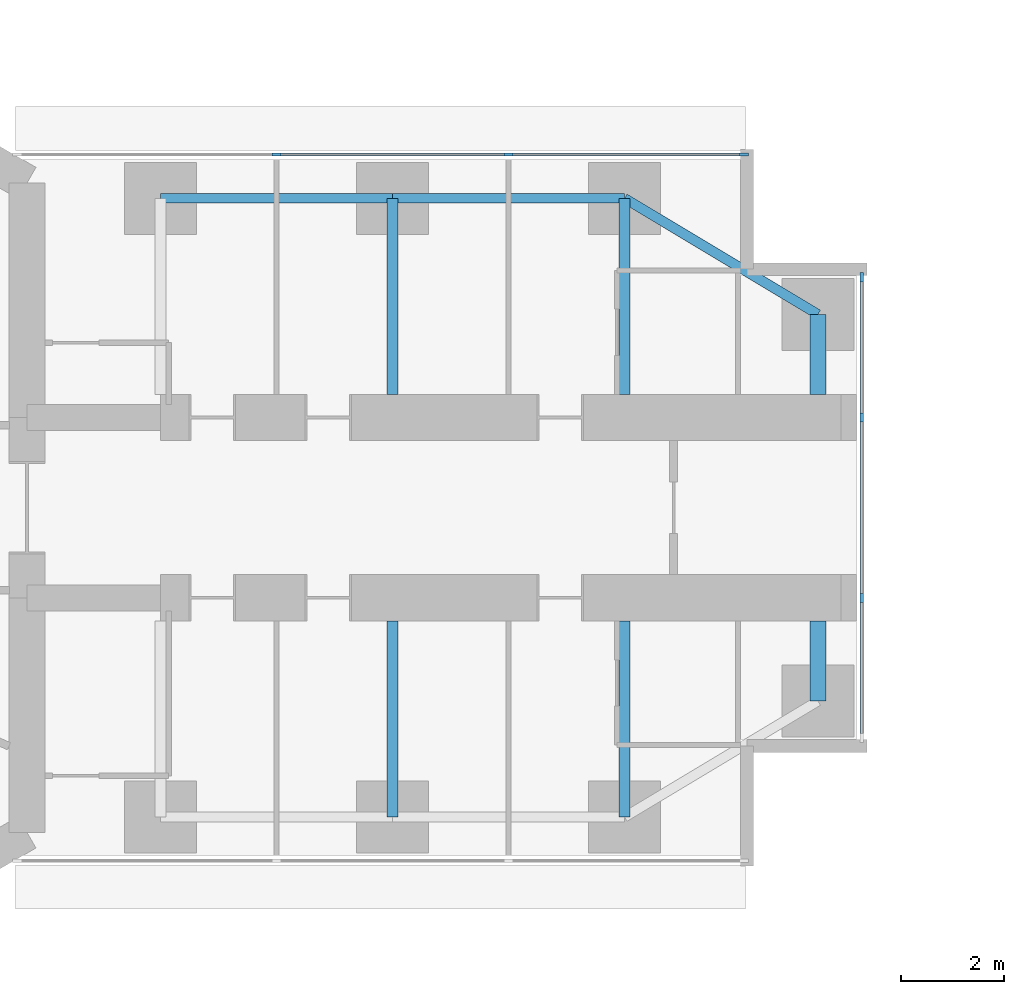
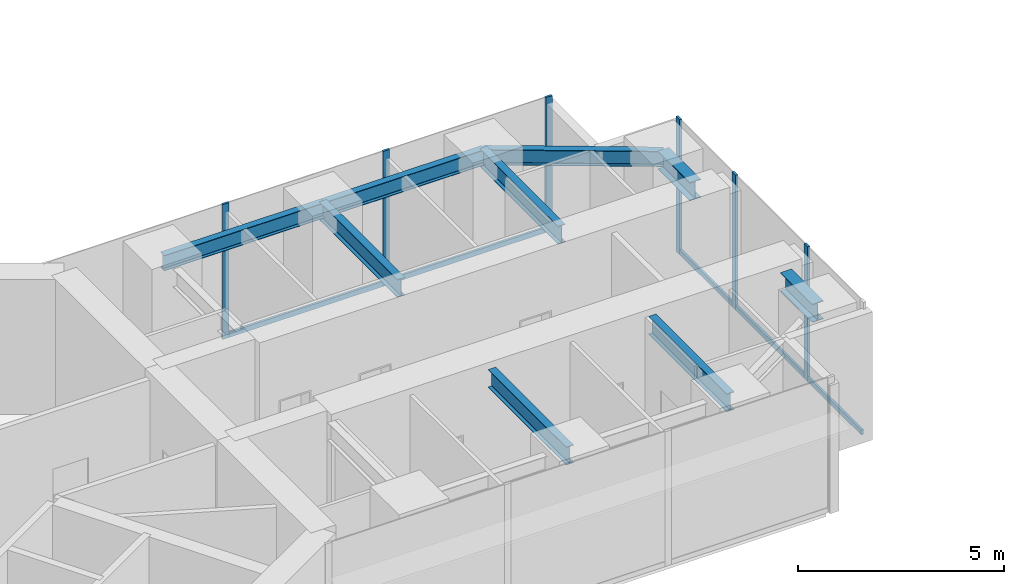
# One storey, part 8 of 25: 11 members, 9 beams, 2 elements without a shape of their own.
"""IFC4 building model written with IfcOpenShell, lengths in metres."""

from ifc_helpers import new_model, si_unit, direction, frame, origin, origin_2d, place, context, subcontext, project, spatial, rectangle, i_section, extrude, material, material_profile, profile_set, type_object, element, aggregate, save


model = new_model("IFC4")

# Units and contexts
model_context = context("Model", 3, precision=1e-05, world=origin(), true_north=direction((0.0, 1.0)))
body_context = subcontext(model_context, "Body", "Model", "MODEL_VIEW")
ifc_project = project(units=[si_unit("LENGTHUNIT", "METRE"), si_unit("AREAUNIT", "SQUARE_METRE"), si_unit("VOLUMEUNIT", "CUBIC_METRE"), si_unit("PLANEANGLEUNIT", "RADIAN"), si_unit("MASSUNIT", "GRAM", prefix="KILO")], contexts=[model_context])

# Site, building, storey
site_placement = place(None, origin())
site = spatial("IfcSite", under=ifc_project, at=site_placement, CompositionType="ELEMENT")
building_placement = place(site_placement, origin())
building = spatial("IfcBuilding", under=site, at=building_placement, Name="Upepo Twin Towers", CompositionType="ELEMENT")
storey_placement = place(building_placement, frame((0.0, 0.0, 80.5)))
storey = spatial("IfcBuildingStorey", under=building, at=storey_placement, Name="L19", CompositionType="ELEMENT", Elevation=80.5)

# Beams
ifc_material_1 = material(Name="Steel S355", Category="steel")
ifc_material_profile_1 = material_profile(ifc_material_1, i_section(OverallWidth=0.1904296875, OverallDepth=0.45703125, WebThickness=0.009033203125, FlangeThickness=0.014404296875, FilletRadius=0.01025390625, at=origin_2d()), Name="UB 457x191x74")
ifc_profile_set_1 = profile_set([ifc_material_profile_1], Name="Steel S355")
beam_type_1 = type_object("IfcBeamType", Name="Beam UB 457x191x74", PredefinedType="BEAM", material=ifc_profile_set_1)
for number, where, z_axis, x_axis, name in (
    (1, (13.5, 6.0, 3.571533203125), (1.0, 0.0, 0.0), (0.0, 1.0, 0.0), "T1 edge beam AL 13.5-18.0"),
    (2, (18.0, 6.0, 3.571533203125), (1.0, 0.0, 0.0), (0.0, 1.0, 0.0), "T1 edge beam AL 18.0-22.5"),
):
    element("IfcBeam", number, at=place(storey_placement, frame(where, z_axis=z_axis, x_axis=x_axis)), inside=storey, type_object=beam_type_1, Name=name, PredefinedType="BEAM", context=body_context, shape_type="SweptSolid", body=[
        extrude(i_section(OverallWidth=0.1904296875, OverallDepth=0.45703125, WebThickness=0.009033203125, FlangeThickness=0.014404296875, FilletRadius=0.01025390625, at=origin_2d()), origin(), (0.0, 0.0, 1.0), 4.5),
    ])
beam_placement = place(storey_placement, frame((22.5, 6.0, 3.571533203125), z_axis=(0.857492925713, -0.514495755428, 0.0), x_axis=(0.514495755428, 0.857492925713, 0.0)))
element("IfcBeam", 3, at=beam_placement, inside=storey, type_object=beam_type_1, Name="T1 nose edge beam AL", PredefinedType="BEAM", context=body_context, shape_type="SweptSolid", body=[
    extrude(i_section(OverallWidth=0.1904296875, OverallDepth=0.45703125, WebThickness=0.009033203125, FlangeThickness=0.014404296875, FilletRadius=0.01025390625, at=origin_2d()), origin(), (0.0, 0.0, 1.0), 4.373291015625),
])
ifc_material_2 = material(Name="Steel S355", Category="steel")
ifc_material_profile_2 = material_profile(ifc_material_2, i_section(OverallWidth=0.209228515625, OverallDepth=0.533203125, WebThickness=0.010009765625, FlangeThickness=0.015625, FilletRadius=0.0126953125, at=origin_2d()), Name="UB 533x210x92")
ifc_profile_set_2 = profile_set([ifc_material_profile_2], Name="Steel S355")
beam_type_2 = type_object("IfcBeamType", Name="Beam UB 533x210x92", PredefinedType="BEAM", material=ifc_profile_set_2)
for number, where, z_axis, x_axis, name in (
    (4, (18.0, 6.0, 3.533447265625), (0.0, -1.0, 0.0), (1.0, 0.0, 0.0), "T1 girder AL at 18.0"),
    (5, (22.5, 6.0, 3.533447265625), (0.0, -1.0, 0.0), (1.0, 0.0, 0.0), "T1 girder AL at 22.5"),
    (6, (18.0, -6.0, 3.533447265625), (0.0, 1.0, 0.0), (-1.0, 0.0, 0.0), "T1 girder AR at 18.0"),
    (7, (22.5, -6.0, 3.533447265625), (0.0, 1.0, 0.0), (-1.0, 0.0, 0.0), "T1 girder AR at 22.5"),
):
    element("IfcBeam", number, at=place(storey_placement, frame(where, z_axis=z_axis, x_axis=x_axis)), inside=storey, type_object=beam_type_2, Name=name, PredefinedType="BEAM", context=body_context, shape_type="SweptSolid", body=[
        extrude(i_section(OverallWidth=0.209228515625, OverallDepth=0.533203125, WebThickness=0.010009765625, FlangeThickness=0.015625, FilletRadius=0.0126953125, at=origin_2d()), origin(), (0.0, 0.0, 1.0), 3.800048828125),
    ])
ifc_material_3 = material(Name="Steel S355", Category="steel")
ifc_material_profile_3 = material_profile(ifc_material_3, i_section(OverallWidth=0.31201171875, OverallDepth=0.54345703125, WebThickness=0.0126953125, FlangeThickness=0.020263671875, FilletRadius=0.0126953125, at=origin_2d()), Name="UB 533x312x150")
ifc_profile_set_3 = profile_set([ifc_material_profile_3], Name="Steel S355")
beam_type_3 = type_object("IfcBeamType", Name="Beam UB 533x312x150", PredefinedType="BEAM", material=ifc_profile_set_3)
for number, where, z_axis, x_axis, name in (
    (8, (26.25, 3.75, 3.5283203125), (0.0, -1.0, 0.0), (1.0, 0.0, 0.0), "T1 nose beam AL"),
    (9, (26.25, -3.75, 3.5283203125), (0.0, 1.0, 0.0), (-1.0, 0.0, 0.0), "T1 nose beam AR"),
):
    element("IfcBeam", number, at=place(storey_placement, frame(where, z_axis=z_axis, x_axis=x_axis)), inside=storey, type_object=beam_type_3, Name=name, PredefinedType="BEAM", context=body_context, shape_type="SweptSolid", body=[
        extrude(i_section(OverallWidth=0.31201171875, OverallDepth=0.54345703125, WebThickness=0.0126953125, FlangeThickness=0.020263671875, FilletRadius=0.0126953125, at=origin_2d()), origin(), (0.0, 0.0, 1.0), 1.550048828125),
    ])

# Curtain wall, members
ifc_material_4 = material(Name="Aluminium and fritted glass", Category="aluminium")
curtain_wall_type = type_object("IfcCurtainWallType", Name="Tower curtain wall TW1, fritted glass", PredefinedType="NOTDEFINED", material=ifc_material_4)
curtain_wall_1_placement = place(storey_placement, origin())
curtain_wall_1 = element("IfcCurtainWall", 10, at=curtain_wall_1_placement, inside=storey, type_object=curtain_wall_type, Name="T1 L19 wing A flank L curtain wall", PredefinedType="NOTDEFINED")
ifc_material_5 = material(Name="Aluminium mullion", Category="aluminium")
ifc_material_profile_4 = material_profile(ifc_material_5, rectangle(XDim=0.06494140625, YDim=0.179931640625, at=origin_2d()), Name="MULLION 65x180")
ifc_profile_set_4 = profile_set([ifc_material_profile_4], Name="Aluminium mullion")
member_type_1 = type_object("IfcMemberType", Name="Mullion 65x180 TW1", PredefinedType="MULLION", material=ifc_profile_set_4)
member_1_placement = place(storey_placement, frame((15.75, 6.85009765625, 0.0), z_axis=(0.0, 0.0, 1.0), x_axis=(0.0, 1.0, 0.0)))
member_1 = element("IfcMember", 11, at=member_1_placement, type_object=member_type_1, Name="T1 L19 wing A flank L curtain wall mullion 2", PredefinedType="MULLION", context=body_context, shape_type="SweptSolid", body=[
    extrude(rectangle(XDim=0.06494140625, YDim=0.179931640625, at=origin_2d()), origin(), (0.0, 0.0, 1.0), 4.0),
])
member_2_placement = place(storey_placement, frame((20.25, 6.85009765625, 0.0), z_axis=(0.0, 0.0, 1.0), x_axis=(0.0, 1.0, 0.0)))
member_2 = element("IfcMember", 12, at=member_2_placement, type_object=member_type_1, Name="T1 L19 wing A flank L curtain wall mullion 3", PredefinedType="MULLION", context=body_context, shape_type="SweptSolid", body=[
    extrude(rectangle(XDim=0.06494140625, YDim=0.179931640625, at=origin_2d()), origin(), (0.0, 0.0, 1.0), 4.0),
])
member_3_placement = place(storey_placement, frame((24.8173828125, 6.85009765625, 0.0), z_axis=(0.0, 0.0, 1.0), x_axis=(0.0, 1.0, 0.0)))
member_3 = element("IfcMember", 13, at=member_3_placement, type_object=member_type_1, Name="T1 L19 wing A flank L curtain wall mullion 4", PredefinedType="MULLION", context=body_context, shape_type="SweptSolid", body=[
    extrude(rectangle(XDim=0.06494140625, YDim=0.179931640625, at=origin_2d()), origin(), (0.0, 0.0, 1.0), 4.0),
])

curtain_wall_2_placement = place(storey_placement, origin())
curtain_wall_2 = element("IfcCurtainWall", 14, at=curtain_wall_2_placement, inside=storey, type_object=curtain_wall_type, Name="T1 L19 wing A nose curtain wall", PredefinedType="NOTDEFINED")
member_4_placement = place(storey_placement, frame((27.10009765625, -1.75, 0.0), z_axis=(0.0, 0.0, 1.0), x_axis=(-1.0, 0.0, 0.0)))
member_4 = element("IfcMember", 15, at=member_4_placement, type_object=member_type_1, Name="T1 L19 wing A nose curtain wall mullion 2", PredefinedType="MULLION", context=body_context, shape_type="SweptSolid", body=[
    extrude(rectangle(XDim=0.06494140625, YDim=0.179931640625, at=origin_2d()), origin(), (0.0, 0.0, 1.0), 4.0),
])
member_5_placement = place(storey_placement, frame((27.10009765625, 1.75, 0.0), z_axis=(0.0, 0.0, 1.0), x_axis=(-1.0, 0.0, 0.0)))
member_5 = element("IfcMember", 16, at=member_5_placement, type_object=member_type_1, Name="T1 L19 wing A nose curtain wall mullion 3", PredefinedType="MULLION", context=body_context, shape_type="SweptSolid", body=[
    extrude(rectangle(XDim=0.06494140625, YDim=0.179931640625, at=origin_2d()), origin(), (0.0, 0.0, 1.0), 4.0),
])
member_6_placement = place(storey_placement, frame((27.10009765625, 4.467529296875, 0.0), z_axis=(0.0, 0.0, 1.0), x_axis=(-1.0, 0.0, 0.0)))
member_6 = element("IfcMember", 17, at=member_6_placement, type_object=member_type_1, Name="T1 L19 wing A nose curtain wall mullion 4", PredefinedType="MULLION", context=body_context, shape_type="SweptSolid", body=[
    extrude(rectangle(XDim=0.06494140625, YDim=0.179931640625, at=origin_2d()), origin(), (0.0, 0.0, 1.0), 4.0),
])

# Member
ifc_material_6 = material(Name="Aluminium transom", Category="aluminium")
ifc_material_profile_5 = material_profile(ifc_material_6, rectangle(XDim=0.06494140625, YDim=0.14990234375, at=origin_2d()), Name="TRANSOM 65x150")
ifc_profile_set_5 = profile_set([ifc_material_profile_5], Name="Aluminium transom")
member_type_2 = type_object("IfcMemberType", Name="Transom 65x150 TW1", PredefinedType="USERDEFINED", material=ifc_profile_set_5)
member_7_placement = place(storey_placement, frame((15.782470703125, 6.85009765625, 0.074951171875), z_axis=(1.0, 0.0, 0.0), x_axis=(0.0, 1.0, 0.0)))
member_7 = element("IfcMember", 18, at=member_7_placement, type_object=member_type_2, Name="T1 L19 wing A flank L curtain wall transom 2", ObjectType="TRANSOM", PredefinedType="USERDEFINED", context=body_context, shape_type="SweptSolid", body=[
    extrude(rectangle(XDim=0.06494140625, YDim=0.14990234375, at=origin_2d()), origin(), (0.0, 0.0, 1.0), 4.43505859375),
])

member_8_placement = place(storey_placement, frame((20.282470703125, 6.85009765625, 0.074951171875), z_axis=(1.0, 0.0, 0.0), x_axis=(0.0, 1.0, 0.0)))
member_8 = element("IfcMember", 19, at=member_8_placement, type_object=member_type_2, Name="T1 L19 wing A flank L curtain wall transom 3", ObjectType="TRANSOM", PredefinedType="USERDEFINED", context=body_context, shape_type="SweptSolid", body=[
    extrude(rectangle(XDim=0.06494140625, YDim=0.14990234375, at=origin_2d()), origin(), (0.0, 0.0, 1.0), 4.50244140625),
])

aggregate(curtain_wall_1, [member_1, member_2, member_3, member_7, member_8])

member_9_placement = place(storey_placement, frame((27.10009765625, -4.43505859375, 0.074951171875), z_axis=(0.0, 1.0, 0.0), x_axis=(-1.0, 0.0, 0.0)))
member_9 = element("IfcMember", 20, at=member_9_placement, type_object=member_type_2, Name="T1 L19 wing A nose curtain wall transom 1", ObjectType="TRANSOM", PredefinedType="USERDEFINED", context=body_context, shape_type="SweptSolid", body=[
    extrude(rectangle(XDim=0.06494140625, YDim=0.14990234375, at=origin_2d()), origin(), (0.0, 0.0, 1.0), 2.652587890625),
])

member_10_placement = place(storey_placement, frame((27.10009765625, -1.717529296875, 0.074951171875), z_axis=(0.0, 1.0, 0.0), x_axis=(-1.0, 0.0, 0.0)))
member_10 = element("IfcMember", 21, at=member_10_placement, type_object=member_type_2, Name="T1 L19 wing A nose curtain wall transom 2", ObjectType="TRANSOM", PredefinedType="USERDEFINED", context=body_context, shape_type="SweptSolid", body=[
    extrude(rectangle(XDim=0.06494140625, YDim=0.14990234375, at=origin_2d()), origin(), (0.0, 0.0, 1.0), 3.43505859375),
])

member_11_placement = place(storey_placement, frame((27.10009765625, 1.782470703125, 0.074951171875), z_axis=(0.0, 1.0, 0.0), x_axis=(-1.0, 0.0, 0.0)))
member_11 = element("IfcMember", 22, at=member_11_placement, type_object=member_type_2, Name="T1 L19 wing A nose curtain wall transom 3", ObjectType="TRANSOM", PredefinedType="USERDEFINED", context=body_context, shape_type="SweptSolid", body=[
    extrude(rectangle(XDim=0.06494140625, YDim=0.14990234375, at=origin_2d()), origin(), (0.0, 0.0, 1.0), 2.652587890625),
])

aggregate(curtain_wall_2, [member_4, member_5, member_6, member_9, member_10, member_11])

save(model, "model.ifc")
